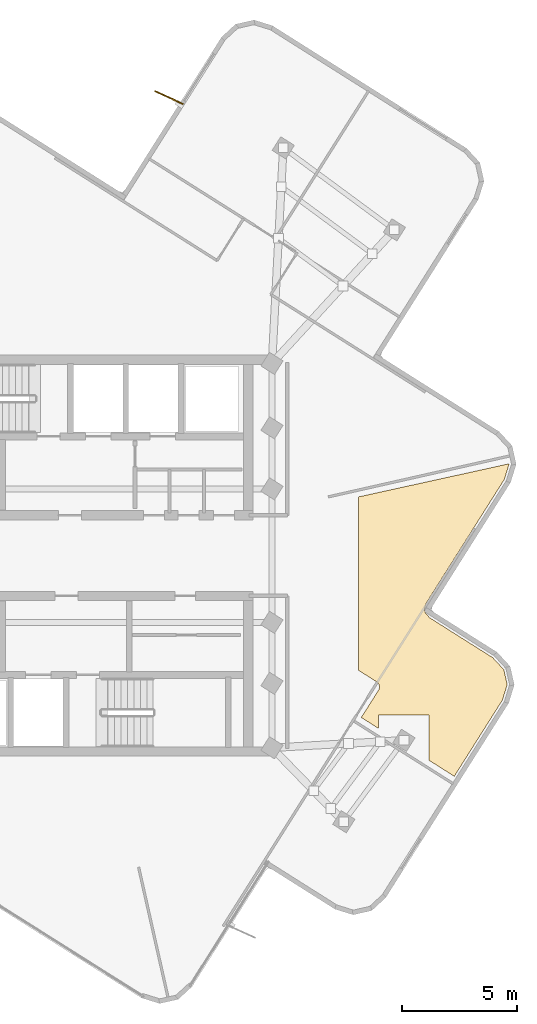
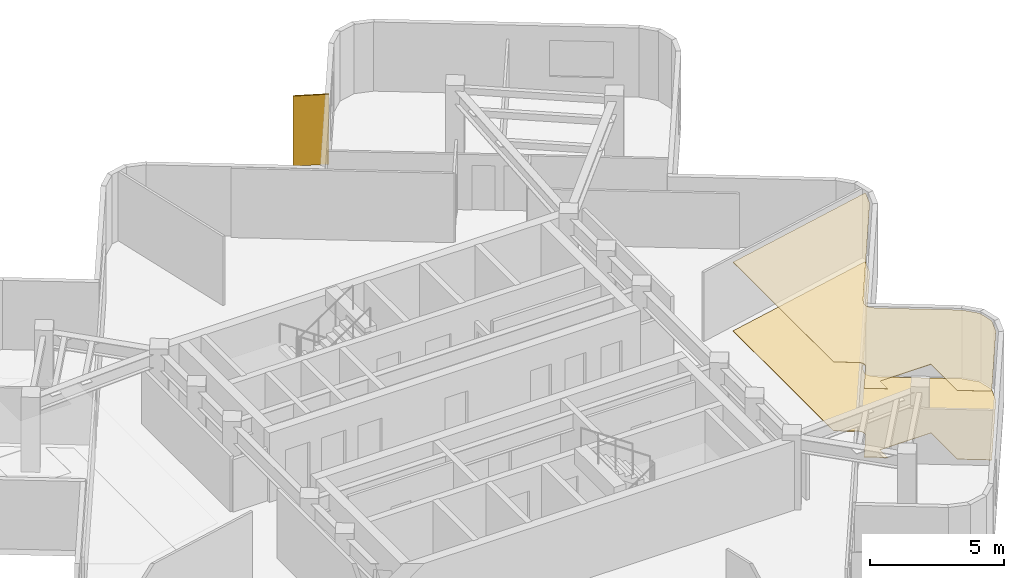
# One storey, part 8 of 8: 2 coverings, 1 shading device.
"""IFC4 building model written with IfcOpenShell, lengths in metres."""

from ifc_helpers import new_model, si_unit, direction, frame, origin, origin_2d, place, context, subcontext, project, spatial, polyline, rectangle, outline, extrude, material, layer, layer_set, type_object, element, save


model = new_model("IFC4")

# Units and contexts
model_context = context("Model", 3, precision=1e-05, world=origin(), true_north=direction((0.0, 1.0)))
body_context = subcontext(model_context, "Body", "Model", "MODEL_VIEW")
ifc_project = project(units=[si_unit("LENGTHUNIT", "METRE"), si_unit("AREAUNIT", "SQUARE_METRE"), si_unit("VOLUMEUNIT", "CUBIC_METRE"), si_unit("PLANEANGLEUNIT", "RADIAN"), si_unit("MASSUNIT", "GRAM", prefix="KILO")], contexts=[model_context])

# Site, building, storey
site_placement = place(None, origin())
site = spatial("IfcSite", under=ifc_project, at=site_placement, CompositionType="ELEMENT")
building_placement = place(site_placement, origin())
building = spatial("IfcBuilding", under=site, at=building_placement, Name="Solmarez Civic Tower", CompositionType="ELEMENT")
storey_placement = place(building_placement, frame((0.0, 0.0, 271.43994140625)))
storey = spatial("IfcBuildingStorey", under=building, at=storey_placement, Name="L73", CompositionType="ELEMENT", Elevation=271.43994140625)

# Coverings
ifc_material_1 = material(Name="Perforated Mineral-Fibre Acoustic Ceiling")
ifc_layer_1 = layer(ifc_material_1, 0.02490234375)
ifc_layer_set_1 = layer_set([ifc_layer_1], Name="Perforated Mineral-Fibre Acoustic Ceiling")
covering_type_1 = type_object("IfcCoveringType", Name="COV-CEIL-ACOUSTIC", PredefinedType="CEILING", material=ifc_layer_set_1)
covering_1_placement = place(storey_placement, frame((0.0, 0.0, 3.135009765625)))
element("IfcCovering", 1, at=covering_1_placement, inside=storey, type_object=covering_type_1, Name="L73 Suspended Acoustic Ceiling 2", PredefinedType="CEILING", context=body_context, shape_type="SweptSolid", body=[
    extrude(outline(polyline([(12.60009765625, 2.547119140625), (12.60009765625, -4.97900390625), (13.39404296875, -5.47998046875), (13.4189453125, -5.4990234375), (13.425048828125, -5.50390625), (13.43505859375, -5.511962890625), (13.448974609375, -5.52587890625), (13.4619140625, -5.5419921875), (13.47412109375, -5.55810546875), (13.47900390625, -5.56591796875), (13.492919921875, -5.593994140625), (13.4970703125, -5.60302734375), (13.5, -5.610107421875), (13.501953125, -5.614990234375), (13.509033203125, -5.635009765625), (13.513916015625, -5.655029296875), (13.51708984375, -5.675048828125), (13.51806640625, -5.68505859375), (13.51904296875, -5.7080078125), (13.51806640625, -5.73095703125), (13.51708984375, -5.739990234375), (13.513916015625, -5.759033203125), (13.512939453125, -5.763916015625), (13.506103515625, -5.791015625), (13.5029296875, -5.800048828125), (13.493896484375, -5.822021484375), (13.48291015625, -5.843017578125), (13.47998046875, -5.847900390625), (13.47705078125, -5.85302734375), (12.72998046875, -7.034912109375), (13.48291015625, -7.510986328125), (13.48291015625, -6.926025390625), (15.68310546875, -6.926025390625), (15.68310546875, -8.90087890625), (16.77099609375, -9.589111328125), (18.860107421875, -6.282958984375), (19.070068359375, -5.60595703125), (18.923095703125, -4.955078125), (18.44189453125, -4.43505859375), (15.738037109375, -2.72607421875), (15.73291015625, -2.722900390625), (15.72705078125, -2.718994140625), (15.7099609375, -2.7060546875), (15.693115234375, -2.69189453125), (15.68798828125, -2.68701171875), (15.68310546875, -2.681884765625), (15.677978515625, -2.676025390625), (15.56103515625, -2.550048828125), (15.552978515625, -2.541015625), (15.548095703125, -2.534912109375), (15.533935546875, -2.51611328125), (15.530029296875, -2.510009765625), (15.52197265625, -2.4970703125), (15.51806640625, -2.489990234375), (15.507080078125, -2.468017578125), (15.50390625, -2.4609375), (15.493896484375, -2.43408203125), (15.491943359375, -2.427001953125), (15.489990234375, -2.419921875), (15.486083984375, -2.404052734375), (15.48388671875, -2.386962890625), (15.48291015625, -2.37890625), (15.48095703125, -2.35205078125), (15.48095703125, -2.3369140625), (15.48291015625, -2.31005859375), (15.48388671875, -2.302001953125), (15.486083984375, -2.284912109375), (15.489990234375, -2.26904296875), (15.491943359375, -2.261962890625), (15.493896484375, -2.257080078125), (15.544921875, -2.093017578125), (15.552978515625, -2.071044921875), (15.555908203125, -2.06396484375), (15.56103515625, -2.052978515625), (15.56396484375, -2.047119140625), (15.56689453125, -2.041015625), (15.577880859375, -2.02197265625), (18.943115234375, 3.304931640625), (19.153076171875, 3.98095703125), (19.152099609375, 3.988037109375), (12.60009765625, 2.547119140625)])), origin(), (0.0, 0.0, 1.0), 0.025146484375),
])
ifc_material_2 = material(Name="Polished Tropical Stone Terrazzo Flooring", Category="masonry")
ifc_layer_2 = layer(ifc_material_2, 0.02001953125)
ifc_layer_set_2 = layer_set([ifc_layer_2], Name="Polished Tropical Stone Terrazzo Flooring")
covering_type_2 = type_object("IfcCoveringType", Name="COV-FLOOR-TERRAZZO", PredefinedType="FLOORING", material=ifc_layer_set_2)
covering_2_placement = place(storey_placement, origin())
element("IfcCovering", 2, at=covering_2_placement, inside=storey, type_object=covering_type_2, Name="L73 Terrazzo Floor Finish 2", PredefinedType="FLOORING", context=body_context, shape_type="SweptSolid", body=[
    extrude(outline(polyline([(12.60009765625, 2.547119140625), (12.60009765625, -4.97900390625), (13.39404296875, -5.47998046875), (13.4189453125, -5.4990234375), (13.425048828125, -5.50390625), (13.43505859375, -5.511962890625), (13.448974609375, -5.52587890625), (13.4619140625, -5.5419921875), (13.47412109375, -5.55810546875), (13.47900390625, -5.56591796875), (13.492919921875, -5.593994140625), (13.4970703125, -5.60302734375), (13.5, -5.610107421875), (13.501953125, -5.614990234375), (13.509033203125, -5.635009765625), (13.513916015625, -5.655029296875), (13.51708984375, -5.675048828125), (13.51806640625, -5.68505859375), (13.51904296875, -5.7080078125), (13.51806640625, -5.73095703125), (13.51708984375, -5.739990234375), (13.513916015625, -5.759033203125), (13.512939453125, -5.763916015625), (13.506103515625, -5.791015625), (13.5029296875, -5.800048828125), (13.493896484375, -5.822021484375), (13.48291015625, -5.843017578125), (13.47998046875, -5.847900390625), (13.47705078125, -5.85302734375), (12.72998046875, -7.034912109375), (13.48291015625, -7.510986328125), (13.48291015625, -6.926025390625), (15.68310546875, -6.926025390625), (15.68310546875, -8.90087890625), (16.77099609375, -9.589111328125), (18.860107421875, -6.282958984375), (19.070068359375, -5.60595703125), (18.923095703125, -4.955078125), (18.44189453125, -4.43505859375), (15.738037109375, -2.72607421875), (15.73291015625, -2.722900390625), (15.72705078125, -2.718994140625), (15.7099609375, -2.7060546875), (15.693115234375, -2.69189453125), (15.68798828125, -2.68701171875), (15.68310546875, -2.681884765625), (15.677978515625, -2.676025390625), (15.56103515625, -2.550048828125), (15.552978515625, -2.541015625), (15.548095703125, -2.534912109375), (15.533935546875, -2.51611328125), (15.530029296875, -2.510009765625), (15.52197265625, -2.4970703125), (15.51806640625, -2.489990234375), (15.507080078125, -2.468017578125), (15.50390625, -2.4609375), (15.493896484375, -2.43408203125), (15.491943359375, -2.427001953125), (15.489990234375, -2.419921875), (15.486083984375, -2.404052734375), (15.48388671875, -2.386962890625), (15.48291015625, -2.37890625), (15.48095703125, -2.35205078125), (15.48095703125, -2.3369140625), (15.48291015625, -2.31005859375), (15.48388671875, -2.302001953125), (15.486083984375, -2.284912109375), (15.489990234375, -2.26904296875), (15.491943359375, -2.261962890625), (15.493896484375, -2.257080078125), (15.544921875, -2.093017578125), (15.552978515625, -2.071044921875), (15.555908203125, -2.06396484375), (15.56103515625, -2.052978515625), (15.56396484375, -2.047119140625), (15.56689453125, -2.041015625), (15.577880859375, -2.02197265625), (18.943115234375, 3.304931640625), (19.153076171875, 3.98095703125), (19.152099609375, 3.988037109375), (12.60009765625, 2.547119140625)])), origin(), (0.0, 0.0, 1.0), 0.02001953125),
])

# Shading device
ifc_material_3 = material(Name="Bronze Anodised Aluminium EN AW-6063 T6", Category="aluminium")
ifc_layer_3 = layer(ifc_material_3, 0.054931640625)
ifc_layer_set_3 = layer_set([ifc_layer_3], Name="Bronze Anodised Aluminium EN AW-6063 T6")
shading_device_type = type_object("IfcShadingDeviceType", Name="FIN-BRONZE-Z56", PredefinedType="USERDEFINED", material=ifc_layer_set_3)
shading_device_placement = place(storey_placement, frame((4.3779296875, 19.89794921875, -0.0400390625), z_axis=(0.0, 0.0, 1.0), x_axis=(-0.909649790857, 0.415376044077, 0.0)))
element("IfcShadingDevice", 3, at=shading_device_placement, inside=storey, type_object=shading_device_type, Name="L73 Anodised Bronze Solar Fin FIN-L73-04", ObjectType="FIN", PredefinedType="USERDEFINED", context=body_context, shape_type="SweptSolid", body=[
    extrude(rectangle(XDim=1.35009765625, YDim=0.054931640625, at=origin_2d()), origin(), (0.0, 0.0, 1.0), 3.199951171875),
])

save(model, "model.ifc")
